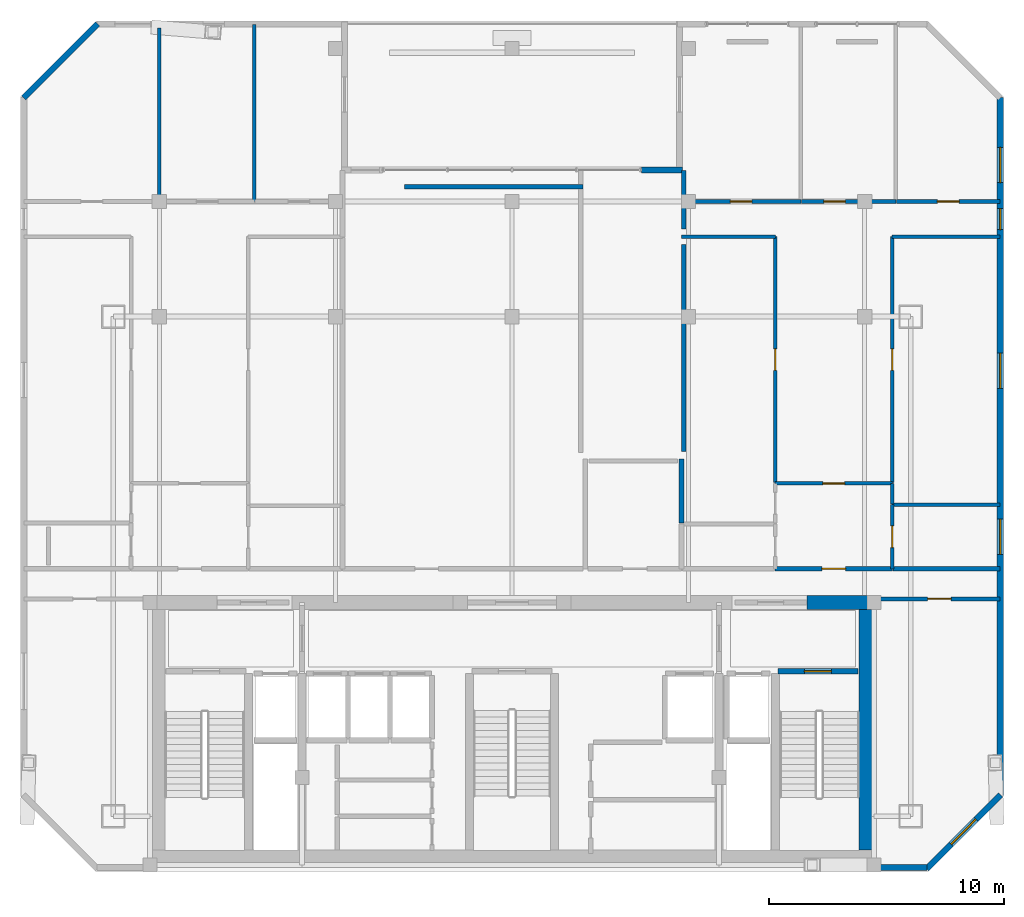
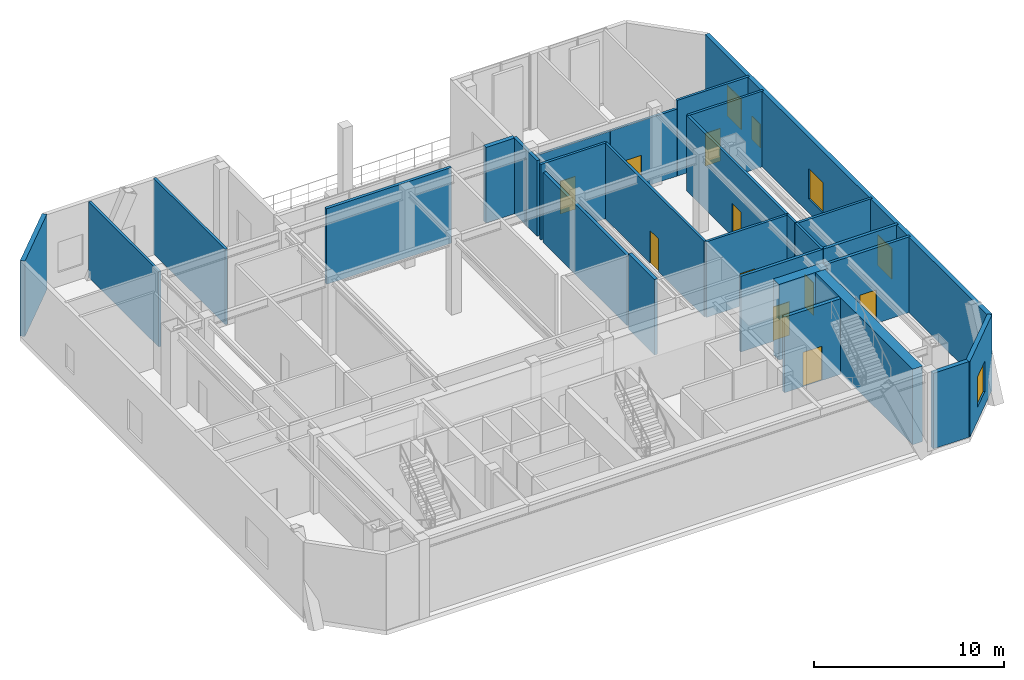
# One storey, part 10 of 12: 28 walls, 10 doors, 5 windows, 15 openings.
"""IFC4 building model written with IfcOpenShell, lengths in metres."""

import ifcopenshell
import ifcopenshell.guid

model = None  # the IFC model being written
_history = None  # IfcOwnerHistory: only IFC2X3 demands one
_inside = {}  # id of a spatial element -> (the spatial element, [elements in it])
_under = {}  # id of a project, library or spatial element -> (it, [spatial elements below it])
_declared = {}  # id of a project -> (the project, [libraries it declares])
_typed = {}  # id of a type object -> (the type object, [elements of that type])
_made_of = {}  # id of a material, layer set ... -> (it, [elements and type objects made of it])


def new_model(schema):
    """Start an empty IFC model of exactly this schema.

    Asked for "IFC4X3", IfcOpenShell would pick the latest addendum, in which some entities
    have other attributes; the version numbers below select the first issue.
    IFC2X3 requires an IfcOwnerHistory on every rooted entity: one is made here for all.
    """
    global model, _history
    if schema == "IFC4X3":
        model = ifcopenshell.file(schema_version=(4, 3, 0, 0))
    else:
        model = ifcopenshell.file(schema=schema)
    _inside.clear()
    _under.clear()
    _declared.clear()
    _typed.clear()
    _made_of.clear()
    _history = None
    if model.schema == "IFC2X3":
        org = make("IfcOrganization", Name="unknown")
        user = make(
            "IfcPersonAndOrganization",
            ThePerson=make("IfcPerson", FamilyName="unknown"),
            TheOrganization=org,
        )
        app = make(
            "IfcApplication",
            ApplicationDeveloper=org,
            Version="unknown",
            ApplicationFullName="unknown",
            ApplicationIdentifier="unknown",
        )
        _history = make(
            "IfcOwnerHistory",
            OwningUser=user,
            OwningApplication=app,
            ChangeAction="ADDED",
            CreationDate=0,
        )
    return model


def make(cls, **values):
    """One entity of the class cls with the attributes given. An attribute that is None is left unset."""
    return model.create_entity(
        cls, **{name: value for name, value in values.items() if value is not None}
    )


def rooted(cls, **values):
    """An entity with a GlobalId (a new one), such as an element, a storey or a relation."""
    return make(cls, GlobalId=ifcopenshell.guid.new(), OwnerHistory=_history, **values)


def si_unit(unit_type, name, prefix=None):
    """IfcSIUnit, for example si_unit("LENGTHUNIT", "METRE", prefix="MILLI")."""
    return make("IfcSIUnit", UnitType=unit_type, Prefix=prefix, Name=name)


def assignment(units):
    """IfcUnitAssignment: the units of a project."""
    return None if units is None else make("IfcUnitAssignment", Units=units)


def point(xyz):
    """IfcCartesianPoint."""
    return None if xyz is None else make("IfcCartesianPoint", Coordinates=xyz)


def direction(xyz):
    """IfcDirection."""
    return None if xyz is None else make("IfcDirection", DirectionRatios=xyz)


def frame(location, z_axis=None, x_axis=None):
    """IfcAxis2Placement3D, a coordinate frame: its origin and axes. An axis left out is left unset."""
    return make(
        "IfcAxis2Placement3D",
        Location=point(location),
        Axis=direction(z_axis),
        RefDirection=direction(x_axis),
    )


def frame_2d(location, x_axis=None):
    """IfcAxis2Placement2D, a coordinate frame in the plane: its origin and x axis."""
    return make(
        "IfcAxis2Placement2D", Location=point(location), RefDirection=direction(x_axis)
    )


def origin():
    """The frame at (0, 0, 0) with its axes left unset."""
    return frame((0.0, 0.0, 0.0))


def place(relative_to, where):
    """IfcLocalPlacement: puts the frame where relative to a parent placement (None: the world)."""
    return make(
        "IfcLocalPlacement", PlacementRelTo=relative_to, RelativePlacement=where
    )


def context(
    kind, dimensions, precision=None, world=None, true_north=None, identifier=None
):
    """IfcGeometricRepresentationContext, for example the 3D "Model" context."""
    return make(
        "IfcGeometricRepresentationContext",
        ContextIdentifier=identifier,
        ContextType=kind,
        CoordinateSpaceDimension=dimensions,
        Precision=precision,
        WorldCoordinateSystem=world,
        TrueNorth=true_north,
    )


def subcontext(parent, identifier, kind, view, scale=None):
    """IfcGeometricRepresentationSubContext, for example "Body" below "Model"."""
    return make(
        "IfcGeometricRepresentationSubContext",
        ContextIdentifier=identifier,
        ContextType=kind,
        ParentContext=parent,
        TargetScale=scale,
        TargetView=view,
    )


def project(units=None, contexts=None):
    """IfcProject with its units and contexts."""
    return rooted(
        "IfcProject",
        Name="project",
        RepresentationContexts=contexts,
        UnitsInContext=assignment(units),
    )


def spatial(cls, under=None, at=None, **own):
    """A site, building, storey or space (cls), placed at a placement, below another one or the project."""
    s = rooted(cls, ObjectPlacement=at, **own)
    if under is not None:
        _under.setdefault(under.id(), (under, []))[1].append(s)
    return s


def profile(cls, at=None, kind="AREA", **sizes):
    """A parametric profile (cls). Its sizes go by their IFC names, for example OverallWidth=200.0."""
    return make(cls, ProfileType=kind, Position=at, **sizes)


def rectangle(**sizes):
    """IfcRectangleProfileDef."""
    return profile("IfcRectangleProfileDef", **sizes)


def extrude(swept, where, along, depth):
    """IfcExtrudedAreaSolid: the profile swept, set in the frame where, extruded along a direction by depth."""
    return make(
        "IfcExtrudedAreaSolid",
        SweptArea=swept,
        Position=where,
        ExtrudedDirection=direction(along),
        Depth=depth,
    )


def shape(context_of_items, identifier, shape_type, items):
    """IfcShapeRepresentation: the items that make up one representation, for example the "Body"."""
    return make(
        "IfcShapeRepresentation",
        ContextOfItems=context_of_items,
        RepresentationIdentifier=identifier,
        RepresentationType=shape_type,
        Items=items,
    )


def material(Name=None, Category=None):
    """IfcMaterial."""
    return make("IfcMaterial", Name=Name, Category=Category)


def layer(
    of_material, thickness, ventilated=None, Name=None, Category=None, Priority=None
):
    """IfcMaterialLayer: one layer of a wall or slab, of a material (None: an air gap)."""
    return make(
        "IfcMaterialLayer",
        Material=of_material,
        LayerThickness=thickness,
        IsVentilated=ventilated,
        Name=Name,
        Category=Category,
        Priority=Priority,
    )


def layer_set(layers, Name=None):
    """IfcMaterialLayerSet."""
    return make("IfcMaterialLayerSet", MaterialLayers=layers, LayerSetName=Name)


def made_of(thing, what):
    """Note that an element or type object is made of a material, layer set ...; save() writes the relation."""
    if what is not None:
        _made_of.setdefault(what.id(), (what, []))[1].append(thing)
    return thing


def type_object(cls, material=None, **own):
    """A type object (cls), such as IfcWallType, which elements share."""
    return made_of(rooted(cls, **own), material)


def element(
    cls,
    number,
    at=None,
    inside=None,
    cuts=None,
    type_object=None,
    material=None,
    context=None,
    identifier="Body",
    shape_type=None,
    held_by="IfcProductDefinitionShape",
    body=None,
    shapes=None,
    **own,
):
    """One element of the class cls, such as IfcWall. Its Tag is "e" and its number.

    at: its placement. inside: the storey or other place that contains it. cuts: it is an
    opening in that element (IfcRelVoidsElement). A single representation is given by context,
    identifier, shape_type and body (its items); several are given by shapes. held_by: the class
    of the entity that holds the representations. save() writes the other relations.
    """
    e = rooted(cls, Tag="e%d" % number, ObjectPlacement=at, **own)
    if body is not None:
        shapes = [shape(context, identifier, shape_type, body)]
    if shapes is not None:
        e.Representation = make(held_by, Representations=shapes)
    if inside is not None:
        _inside.setdefault(inside.id(), (inside, []))[1].append(e)
    if cuts is not None:
        rooted(
            "IfcRelVoidsElement", RelatingBuildingElement=cuts, RelatedOpeningElement=e
        )
    if type_object is not None:
        _typed.setdefault(type_object.id(), (type_object, []))[1].append(e)
    return made_of(e, material)


def fill(opening, filler):
    """IfcRelFillsElement: the door or window that sits in an opening."""
    return rooted(
        "IfcRelFillsElement",
        RelatingOpeningElement=opening,
        RelatedBuildingElement=filler,
    )


def aggregate(whole, parts):
    """IfcRelAggregates: a whole, such as a stair, and the parts it consists of."""
    return rooted("IfcRelAggregates", RelatingObject=whole, RelatedObjects=parts)


def save(model, path):
    """Write the relations noted so far, then the file.

    IfcRelAggregates (storeys below a building ...), IfcRelContainedInSpatialStructure (elements
    in a storey), IfcRelDefinesByType, IfcRelAssociatesMaterial and IfcRelDeclares: one each for
    every whole, place, type object, material and project.
    """
    for whole, parts in _under.values():
        aggregate(whole, parts)
    for where, things in _inside.values():
        rooted(
            "IfcRelContainedInSpatialStructure",
            RelatedElements=things,
            RelatingStructure=where,
        )
    for kind, things in _typed.values():
        rooted("IfcRelDefinesByType", RelatedObjects=things, RelatingType=kind)
    for what, things in _made_of.values():
        rooted("IfcRelAssociatesMaterial", RelatedObjects=things, RelatingMaterial=what)
    for by, libraries in _declared.values():
        rooted("IfcRelDeclares", RelatingContext=by, RelatedDefinitions=libraries)
    model.write(path)


model = new_model("IFC4")

# Units and contexts
model_context = context("Model", 3, precision=1e-05, world=origin(), true_north=direction((0.0, 1.0)))
body_context = subcontext(model_context, "Body", "Model", "MODEL_VIEW")
ifc_project = project(units=[si_unit("LENGTHUNIT", "METRE"), si_unit("AREAUNIT", "SQUARE_METRE"), si_unit("VOLUMEUNIT", "CUBIC_METRE"), si_unit("PLANEANGLEUNIT", "RADIAN"), si_unit("MASSUNIT", "GRAM", prefix="KILO")], contexts=[model_context])

# Site, building, storey
site_placement = place(None, origin())
site = spatial("IfcSite", under=ifc_project, at=site_placement, CompositionType="ELEMENT")
building_placement = place(site_placement, origin())
building = spatial("IfcBuilding", under=site, at=building_placement, Name="Ventersveld Concourse Tower", CompositionType="ELEMENT")
storey_placement = place(building_placement, frame((0.0, 0.0, 251.699951171875)))
storey = spatial("IfcBuildingStorey", under=building, at=storey_placement, Name="L62", CompositionType="ELEMENT", Elevation=251.699951171875)

# Walls
ifc_material_1 = material(Name="Concrete C50/60", Category="concrete")
ifc_layer_1 = layer(ifc_material_1, 0.60009765625)
ifc_layer_set_1 = layer_set([ifc_layer_1], Name="Concrete C50/60")
wall_type_1 = type_object("IfcWallType", Name="WL-CORE-600", PredefinedType="SHEAR", material=ifc_layer_set_1)
wall_1_placement = place(storey_placement, frame((43.800048828125, 0.919921875, 0.0), z_axis=(0.0, 0.0, 1.0), x_axis=(0.0, 1.0, 0.0)))
element("IfcWall", 1, at=wall_1_placement, inside=storey, type_object=wall_type_1, Name="L62 Rear Core East Shear Wall", PredefinedType="SHEAR", context=body_context, shape_type="SweptSolid", body=[
    extrude(rectangle(XDim=10.530029296875, YDim=0.60009765625, at=frame_2d((5.26513671875, 0.0))), origin(), (0.0, 0.0, 1.0), 4.85009765625),
])
wall_2_placement = place(storey_placement, frame((41.300048828125, 11.449951171875, 0.0), z_axis=(0.0, 0.0, 1.0), x_axis=(1.0, 0.0, 0.0)))
element("IfcWall", 2, at=wall_2_placement, inside=storey, type_object=wall_type_1, Name="L62 Rear Core North Shear Wall NE", PredefinedType="SHEAR", context=body_context, shape_type="SweptSolid", body=[
    extrude(rectangle(XDim=2.949951171875, YDim=0.60009765625, at=frame_2d((1.47509765625, 0.0))), origin(), (0.0, 0.0, 1.0), 4.85009765625),
])

# Wall, opening, door
ifc_material_2 = material(Name="Fire-rated autoclaved aerated masonry blockwork", Category="masonry")
ifc_layer_2 = layer(ifc_material_2, 0.179931640625)
ifc_layer_set_2 = layer_set([ifc_layer_2], Name="Fire-rated autoclaved aerated masonry blockwork")
wall_type_2 = type_object("IfcWallType", Name="WL-CORR-180", PredefinedType="PARTITIONING", material=ifc_layer_set_2)
wall_3_placement = place(storey_placement, frame((44.35498046875, 11.60009765625, 0.0), z_axis=(0.0, 0.0, 1.0), x_axis=(1.0, 0.0, 0.0)))
wall_3 = element("IfcWall", 3, at=wall_3_placement, inside=storey, type_object=wall_type_2, Name="L62 Interior Partition SP-L62-SE-OFF-SP-L62-COR", PredefinedType="PARTITIONING", context=body_context, shape_type="SweptSolid", body=[
    extrude(rectangle(XDim=5.14013671875, YDim=0.179931640625, at=frame_2d((2.570068359375, 0.0))), origin(), (0.0, 0.0, 1.0), 4.85009765625),
])
opening_1_placement = place(wall_3_placement, frame((2.070068359375, 0.0, 0.0)))
opening_1 = element("IfcOpeningElement", 4, at=opening_1_placement, cuts=wall_3, Name="Opening FD3", PredefinedType="OPENING", context=body_context, shape_type="SweptSolid", body=[
    extrude(rectangle(XDim=1.0, YDim=2.14990234375, at=frame_2d((0.5, 1.074951171875))), frame((0.0, 0.10009765625, 0.0), z_axis=(0.0, -1.0, 0.0), x_axis=(1.0, 0.0, 0.0)), (0.0, 0.0, 1.0), 0.199951171875),
])
ifc_material_3 = material(Name="Solid-core hardwood veneer timber", Category="wood")
door_type_1 = type_object("IfcDoorType", Name="DR-FLAT-100", OperationType="NOTDEFINED", PredefinedType="DOOR", material=ifc_material_3)
door_1_placement = place(opening_1_placement, origin())
door_1 = element("IfcDoor", 5, at=door_1_placement, inside=storey, type_object=door_type_1, Name="L62 Interior Door SP-L62-SE-OFF to SP-L62-COR (D-L62-2947)", OperationType="SINGLE_SWING_LEFT", OverallHeight=2.14990234375, OverallWidth=1.0, PredefinedType="DOOR", context=body_context, shape_type="SweptSolid", body=[
    extrude(rectangle(XDim=1.0, YDim=2.14990234375, at=frame_2d((0.5, 1.074951171875))), frame((0.0, 0.02490234375, 0.0), z_axis=(0.0, -1.0, 0.0), x_axis=(1.0, 0.0, 0.0)), (0.0, 0.0, 1.0), 0.050048828125),
])
fill(opening_1, door_1)

wall_4_placement = place(storey_placement, frame((39.938720703125, 12.8798828125, 0.0), z_axis=(0.0, 0.0, 1.0), x_axis=(1.0, 0.0, 0.0)))
wall_4 = element("IfcWall", 6, at=wall_4_placement, inside=storey, type_object=wall_type_2, Name="L62 Interior Partition SP-L62-COR-SP-L62-62CE-FOY", PredefinedType="PARTITIONING", context=body_context, shape_type="SweptSolid", body=[
    extrude(rectangle(XDim=4.989990234375, YDim=0.179931640625, at=frame_2d((2.4951171875, 0.0))), origin(), (0.0, 0.0, 1.0), 4.85009765625),
])
opening_2_placement = place(wall_4_placement, frame((1.9951171875, 0.0, 0.0)))
opening_2 = element("IfcOpeningElement", 7, at=opening_2_placement, cuts=wall_4, Name="Opening FD3", PredefinedType="OPENING", context=body_context, shape_type="SweptSolid", body=[
    extrude(rectangle(XDim=1.0, YDim=2.14990234375, at=frame_2d((0.5, 1.074951171875))), frame((0.0, 0.10009765625, 0.0), z_axis=(0.0, -1.0, 0.0), x_axis=(1.0, 0.0, 0.0)), (0.0, 0.0, 1.0), 0.199951171875),
])
door_2_placement = place(opening_2_placement, origin())
door_2 = element("IfcDoor", 8, at=door_2_placement, inside=storey, type_object=door_type_1, Name="L62 Interior Door SP-L62-COR to SP-L62-62CE-FOY (FD-L62-2951)", OperationType="SINGLE_SWING_LEFT", OverallHeight=2.14990234375, OverallWidth=1.0, PredefinedType="DOOR", context=body_context, shape_type="SweptSolid", body=[
    extrude(rectangle(XDim=1.0, YDim=2.14990234375, at=frame_2d((0.5, 1.074951171875))), frame((0.0, 0.02490234375, 0.0), z_axis=(0.0, -1.0, 0.0), x_axis=(1.0, 0.0, 0.0)), (0.0, 0.0, 1.0), 0.050048828125),
])
fill(opening_2, door_2)

# Walls
wall_5_placement = place(storey_placement, frame((44.958740234375, 12.8798828125, 0.0), z_axis=(0.0, 0.0, 1.0), x_axis=(1.0, 0.0, 0.0)))
element("IfcWall", 9, at=wall_5_placement, inside=storey, type_object=wall_type_2, Name="L62 Interior Partition SP-L62-COR-SP-L62-62CE-KIT", PredefinedType="PARTITIONING", context=body_context, shape_type="SweptSolid", body=[
    extrude(rectangle(XDim=4.536376953125, YDim=0.179931640625, at=frame_2d((2.26806640625, 0.0))), origin(), (0.0, 0.0, 1.0), 4.85009765625),
])
wall_6_placement = place(storey_placement, frame((24.182861328125, 29.1318359375, 0.0), z_axis=(0.0, 0.0, 1.0), x_axis=(1.0, 0.0, 0.0)))
element("IfcWall", 10, at=wall_6_placement, inside=storey, type_object=wall_type_2, Name="L62 Room Enclosure Wall SP-L62-SLOB", PredefinedType="PARTITIONING", context=body_context, shape_type="SweptSolid", body=[
    extrude(rectangle(XDim=7.58203125, YDim=0.179931640625, at=frame_2d((3.791015625, 0.0))), origin(), (0.0, 0.0, 1.0), 4.85009765625),
])
wall_7_placement = place(storey_placement, frame((36.050048828125, 27.324951171875, 0.0), z_axis=(0.0, 0.0, 1.0), x_axis=(0.0, 1.0, 0.0)))
element("IfcWall", 11, at=wall_7_placement, inside=storey, type_object=wall_type_2, Name="L62 Room Enclosure Wall SP-L62-62CE-LIV", PredefinedType="PARTITIONING", context=body_context, shape_type="SweptSolid", body=[
    extrude(rectangle(XDim=2.50390625, YDim=0.179931640625, at=frame_2d((1.251953125, 0.0))), origin(), (0.0, 0.0, 1.0), 4.85009765625),
])
wall_8_placement = place(storey_placement, frame((36.050048828125, 17.869873046875, 0.0), z_axis=(0.0, 0.0, 1.0), x_axis=(0.0, 1.0, 0.0)))
element("IfcWall", 12, at=wall_8_placement, inside=storey, type_object=wall_type_2, Name="L62 Room Enclosure Wall SP-L62-62CE-OFFL0", PredefinedType="PARTITIONING", context=body_context, shape_type="SweptSolid", body=[
    extrude(rectangle(XDim=8.80517578125, YDim=0.179931640625, at=frame_2d((4.402587890625, 0.0))), origin(), (0.0, 0.0, 1.0), 4.4951171875),
])
ifc_layer_3 = layer(ifc_material_2, 0.199951171875)
ifc_layer_set_3 = layer_set([ifc_layer_3], Name="Fire-rated autoclaved aerated masonry blockwork")
wall_type_3 = type_object("IfcWallType", Name="WL-DEMISE-200", PredefinedType="PARTITIONING", material=ifc_layer_set_3)
wall_9_placement = place(storey_placement, frame((35.9599609375, 14.8203125, 0.0), z_axis=(0.0, 0.0, 1.0), x_axis=(0.0, 1.0, 0.0)))
element("IfcWall", 13, at=wall_9_placement, inside=storey, type_object=wall_type_3, Name="L62 Interior Partition SP-L62-SAWC-SP-L62-62CE-OFFL0", PredefinedType="PARTITIONING", context=body_context, shape_type="SweptSolid", body=[
    extrude(rectangle(XDim=2.734619140625, YDim=0.199951171875, at=frame_2d((1.3671875, 0.0))), origin(), (0.0, 0.0, 1.0), 4.85009765625),
])

# Wall, opening, door
ifc_layer_4 = layer(ifc_material_2, 0.219970703125)
ifc_layer_set_4 = layer_set([ifc_layer_4], Name="Fire-rated autoclaved aerated masonry blockwork")
wall_type_4 = type_object("IfcWallType", Name="WL-HOIST-220", PredefinedType="SOLIDWALL", material=ifc_layer_set_4)
wall_10_placement = place(storey_placement, frame((40.06005859375, 8.52001953125, 0.0), z_axis=(0.0, 0.0, 1.0), x_axis=(1.0, 0.0, 0.0)))
wall_10 = element("IfcWall", 14, at=wall_10_placement, inside=storey, type_object=wall_type_4, Name="L62 Escape Stair ST02 Fire Wall", PredefinedType="SOLIDWALL", context=body_context, shape_type="SweptSolid", body=[
    extrude(rectangle(XDim=3.39990234375, YDim=0.219970703125, at=frame_2d((1.699951171875, 0.0))), origin(), (0.0, 0.0, 1.0), 4.85009765625),
])
opening_3_placement = place(wall_10_placement, frame((1.125, 0.0, 0.0)))
opening_3 = element("IfcOpeningElement", 15, at=opening_3_placement, cuts=wall_10, Name="Opening FD1", PredefinedType="OPENING", context=body_context, shape_type="SweptSolid", body=[
    extrude(rectangle(XDim=1.14990234375, YDim=2.199951171875, at=frame_2d((0.574951171875, 1.10009765625))), frame((0.0, 0.1201171875, 0.0), z_axis=(0.0, -1.0, 0.0), x_axis=(1.0, 0.0, 0.0)), (0.0, 0.0, 1.0), 0.239990234375),
])
ifc_material_4 = material(Name="Galvanised painted steel", Category="steel")
door_type_2 = type_object("IfcDoorType", Name="DR-STAIR-115", OperationType="NOTDEFINED", PredefinedType="DOOR", material=ifc_material_4)
door_3_placement = place(opening_3_placement, origin())
door_3 = element("IfcDoor", 16, at=door_3_placement, inside=storey, type_object=door_type_2, Name="L62 Escape Stair Door ST02 (SD-L62-2934)", OperationType="SINGLE_SWING_RIGHT", OverallHeight=2.199951171875, OverallWidth=1.14990234375, PredefinedType="DOOR", context=body_context, shape_type="SweptSolid", body=[
    extrude(rectangle(XDim=1.14990234375, YDim=2.199951171875, at=frame_2d((0.574951171875, 1.10009765625))), frame((0.0, 0.02490234375, 0.0), z_axis=(0.0, -1.0, 0.0), x_axis=(1.0, 0.0, 0.0)), (0.0, 0.0, 1.0), 0.050048828125),
])
fill(opening_3, door_3)

# Walls
ifc_material_5 = material(Name="Autoclaved aerated masonry blockwork", Category="masonry")
ifc_layer_5 = layer(ifc_material_5, 0.14990234375)
ifc_layer_set_5 = layer_set([ifc_layer_5], Name="Autoclaved aerated masonry blockwork")
wall_type_5 = type_object("IfcWallType", Name="WL-INT-150", PredefinedType="PARTITIONING", material=ifc_layer_set_5)
wall_11_placement = place(storey_placement, frame((13.75, 28.4951171875, 0.0), z_axis=(0.0, 0.0, 1.0), x_axis=(0.0, 1.0, 0.0)))
element("IfcWall", 17, at=wall_11_placement, inside=storey, type_object=wall_type_5, Name="L62 Interior Partition SP-L62-62CW-BR1-SP-L62-62CW-BR2", PredefinedType="PARTITIONING", context=body_context, shape_type="SweptSolid", body=[
    extrude(rectangle(XDim=7.37841796875, YDim=0.14990234375, at=frame_2d((3.689208984375, 0.0))), origin(), (0.0, 0.0, 1.0), 4.85009765625),
])
wall_12_placement = place(storey_placement, frame((17.790771484375, 28.4951171875, 0.0), z_axis=(0.0, 0.0, 1.0), x_axis=(0.0, 1.0, 0.0)))
element("IfcWall", 18, at=wall_12_placement, inside=storey, type_object=wall_type_5, Name="L62 Interior Partition SP-L62-62CW-BR2-SP-L62-62CW-BR3", PredefinedType="PARTITIONING", context=body_context, shape_type="SweptSolid", body=[
    extrude(rectangle(XDim=7.52734375, YDim=0.14990234375, at=frame_2d((3.763671875, 0.0))), origin(), (0.0, 0.0, 1.0), 4.85009765625),
])

# Wall, opening, door
wall_13_placement = place(storey_placement, frame((39.938720703125, 16.509765625, 0.0), z_axis=(0.0, 0.0, 1.0), x_axis=(1.0, 0.0, 0.0)))
wall_13 = element("IfcWall", 19, at=wall_13_placement, inside=storey, type_object=wall_type_5, Name="L62 Interior Partition SP-L62-62CE-FOY-SP-L62-62CE-LIV", PredefinedType="PARTITIONING", context=body_context, shape_type="SweptSolid", body=[
    extrude(rectangle(XDim=4.989990234375, YDim=0.14990234375, at=frame_2d((2.4951171875, 0.0))), origin(), (0.0, 0.0, 1.0), 4.85009765625),
])
opening_4_placement = place(wall_13_placement, frame((2.034912109375, 0.0, 0.0)))
opening_4 = element("IfcOpeningElement", 20, at=opening_4_placement, cuts=wall_13, Name="Opening ID1", PredefinedType="OPENING", context=body_context, shape_type="SweptSolid", body=[
    extrude(rectangle(XDim=0.919921875, YDim=2.10009765625, at=frame_2d((0.4599609375, 1.050048828125))), frame((0.0, 0.0849609375, 0.0), z_axis=(0.0, -1.0, 0.0), x_axis=(1.0, 0.0, 0.0)), (0.0, 0.0, 1.0), 0.169921875),
])
door_type_3 = type_object("IfcDoorType", Name="DR-ROOM-092", OperationType="NOTDEFINED", PredefinedType="DOOR", material=ifc_material_3)
door_4_placement = place(opening_4_placement, origin())
door_4 = element("IfcDoor", 21, at=door_4_placement, inside=storey, type_object=door_type_3, Name="L62 Interior Door SP-L62-62CE-FOY to SP-L62-62CE-LIV (D-L62-2961)", OperationType="SINGLE_SWING_LEFT", OverallHeight=2.10009765625, OverallWidth=0.919921875, PredefinedType="DOOR", context=body_context, shape_type="SweptSolid", body=[
    extrude(rectangle(XDim=0.919921875, YDim=2.10009765625, at=frame_2d((0.4599609375, 1.050048828125))), frame((0.0, 0.02490234375, 0.0), z_axis=(0.0, -1.0, 0.0), x_axis=(1.0, 0.0, 0.0)), (0.0, 0.0, 1.0), 0.050048828125),
])
fill(opening_4, door_4)

wall_14_placement = place(storey_placement, frame((44.923583984375, 12.864990234375, 0.0), z_axis=(0.0, 0.0, 1.0), x_axis=(0.0, 1.0, 0.0)))
wall_14 = element("IfcWall", 22, at=wall_14_placement, inside=storey, type_object=wall_type_5, Name="L62 Interior Partition SP-L62-62CE-FOY-SP-L62-62CE-KIT", PredefinedType="PARTITIONING", context=body_context, shape_type="SweptSolid", body=[
    extrude(rectangle(XDim=2.74951171875, YDim=0.14990234375, at=frame_2d((1.374755859375, 0.0))), origin(), (0.0, 0.0, 1.0), 4.85009765625),
])
opening_5_placement = place(wall_14_placement, frame((0.914794921875, 0.0, 0.0)))
opening_5 = element("IfcOpeningElement", 23, at=opening_5_placement, cuts=wall_14, Name="Opening ID1", PredefinedType="OPENING", context=body_context, shape_type="SweptSolid", body=[
    extrude(rectangle(XDim=0.919921875, YDim=2.10009765625, at=frame_2d((0.4599609375, 1.050048828125))), frame((0.0, 0.0849609375, 0.0), z_axis=(0.0, -1.0, 0.0), x_axis=(1.0, 0.0, 0.0)), (0.0, 0.0, 1.0), 0.169921875),
])
door_5_placement = place(opening_5_placement, origin())
door_5 = element("IfcDoor", 24, at=door_5_placement, inside=storey, type_object=door_type_3, Name="L62 Interior Door SP-L62-62CE-FOY to SP-L62-62CE-KIT (D-L62-2964)", OperationType="SINGLE_SWING_RIGHT", OverallHeight=2.10009765625, OverallWidth=0.919921875, PredefinedType="DOOR", context=body_context, shape_type="SweptSolid", body=[
    extrude(rectangle(XDim=0.919921875, YDim=2.10009765625, at=frame_2d((0.4599609375, 1.050048828125))), frame((0.0, 0.02490234375, 0.0), z_axis=(0.0, -1.0, 0.0), x_axis=(1.0, 0.0, 0.0)), (0.0, 0.0, 1.0), 0.050048828125),
])
fill(opening_5, door_5)

# Wall
wall_15_placement = place(storey_placement, frame((44.923583984375, 15.64453125, 0.0), z_axis=(0.0, 0.0, 1.0), x_axis=(0.0, 1.0, 0.0)))
element("IfcWall", 25, at=wall_15_placement, inside=storey, type_object=wall_type_5, Name="L62 Interior Partition SP-L62-62CE-FOY-SP-L62-62CE-OFFR1", PredefinedType="PARTITIONING", context=body_context, shape_type="SweptSolid", body=[
    extrude(rectangle(XDim=0.870361328125, YDim=0.14990234375, at=frame_2d((0.43505859375, 0.0))), origin(), (0.0, 0.0, 1.0), 4.85009765625),
])

# Wall, opening, door
wall_16_placement = place(storey_placement, frame((39.943603515625, 16.544921875, 0.0), z_axis=(0.0, 0.0, 1.0), x_axis=(0.0, 1.0, 0.0)))
wall_16 = element("IfcWall", 26, at=wall_16_placement, inside=storey, type_object=wall_type_5, Name="L62 Interior Partition SP-L62-62CE-LIV-SP-L62-62CE-OFFL0", PredefinedType="PARTITIONING", context=body_context, shape_type="SweptSolid", body=[
    extrude(rectangle(XDim=10.4599609375, YDim=0.14990234375, at=frame_2d((5.22998046875, 0.0))), origin(), (0.0, 0.0, 1.0), 4.85009765625),
])
opening_6_placement = place(wall_16_placement, frame((4.77001953125, 0.0, 0.0)))
opening_6 = element("IfcOpeningElement", 27, at=opening_6_placement, cuts=wall_16, Name="Opening ID1", PredefinedType="OPENING", context=body_context, shape_type="SweptSolid", body=[
    extrude(rectangle(XDim=0.919921875, YDim=2.10009765625, at=frame_2d((0.4599609375, 1.050048828125))), frame((0.0, 0.0849609375, 0.0), z_axis=(0.0, -1.0, 0.0), x_axis=(1.0, 0.0, 0.0)), (0.0, 0.0, 1.0), 0.169921875),
])
door_6_placement = place(opening_6_placement, origin())
door_6 = element("IfcDoor", 28, at=door_6_placement, inside=storey, type_object=door_type_3, Name="L62 Interior Door SP-L62-62CE-LIV to SP-L62-62CE-OFFL0 (D-L62-2965)", OperationType="SINGLE_SWING_LEFT", OverallHeight=2.10009765625, OverallWidth=0.919921875, PredefinedType="DOOR", context=body_context, shape_type="SweptSolid", body=[
    extrude(rectangle(XDim=0.919921875, YDim=2.10009765625, at=frame_2d((0.4599609375, 1.050048828125))), frame((0.0, 0.02490234375, 0.0), z_axis=(0.0, -1.0, 0.0), x_axis=(1.0, 0.0, 0.0)), (0.0, 0.0, 1.0), 0.050048828125),
])
fill(opening_6, door_6)

# Wall
wall_17_placement = place(storey_placement, frame((35.955078125, 27.0, 0.0), z_axis=(0.0, 0.0, 1.0), x_axis=(1.0, 0.0, 0.0)))
element("IfcWall", 29, at=wall_17_placement, inside=storey, type_object=wall_type_5, Name="L62 Interior Partition SP-L62-62CE-LIV-SP-L62-62CE-OFFL0", PredefinedType="PARTITIONING", context=body_context, shape_type="SweptSolid", body=[
    extrude(rectangle(XDim=3.99365234375, YDim=0.14990234375, at=frame_2d((1.996826171875, 0.0))), origin(), (0.0, 0.0, 1.0), 4.85009765625),
])

# Wall, opening, door
wall_18_placement = place(storey_placement, frame((44.923583984375, 16.544921875, 0.0), z_axis=(0.0, 0.0, 1.0), x_axis=(0.0, 1.0, 0.0)))
wall_18 = element("IfcWall", 30, at=wall_18_placement, inside=storey, type_object=wall_type_5, Name="L62 Interior Partition SP-L62-62CE-LIV-SP-L62-62CE-OFFR1", PredefinedType="PARTITIONING", context=body_context, shape_type="SweptSolid", body=[
    extrude(rectangle(XDim=10.4599609375, YDim=0.14990234375, at=frame_2d((5.22998046875, 0.0))), origin(), (0.0, 0.0, 1.0), 4.85009765625),
])
opening_7_placement = place(wall_18_placement, frame((4.77001953125, 0.0, 0.0)))
opening_7 = element("IfcOpeningElement", 31, at=opening_7_placement, cuts=wall_18, Name="Opening ID1", PredefinedType="OPENING", context=body_context, shape_type="SweptSolid", body=[
    extrude(rectangle(XDim=0.919921875, YDim=2.10009765625, at=frame_2d((0.4599609375, 1.050048828125))), frame((0.0, 0.0849609375, 0.0), z_axis=(0.0, -1.0, 0.0), x_axis=(1.0, 0.0, 0.0)), (0.0, 0.0, 1.0), 0.169921875),
])
door_7_placement = place(opening_7_placement, origin())
door_7 = element("IfcDoor", 32, at=door_7_placement, inside=storey, type_object=door_type_3, Name="L62 Interior Door SP-L62-62CE-LIV to SP-L62-62CE-OFFR1 (D-L62-2966)", OperationType="SINGLE_SWING_RIGHT", OverallHeight=2.10009765625, OverallWidth=0.919921875, PredefinedType="DOOR", context=body_context, shape_type="SweptSolid", body=[
    extrude(rectangle(XDim=0.919921875, YDim=2.10009765625, at=frame_2d((0.4599609375, 1.050048828125))), frame((0.0, 0.02490234375, 0.0), z_axis=(0.0, -1.0, 0.0), x_axis=(1.0, 0.0, 0.0)), (0.0, 0.0, 1.0), 0.050048828125),
])
fill(opening_7, door_7)

# Wall
wall_19_placement = place(storey_placement, frame((44.918701171875, 27.0, 0.0), z_axis=(0.0, 0.0, 1.0), x_axis=(1.0, 0.0, 0.0)))
element("IfcWall", 33, at=wall_19_placement, inside=storey, type_object=wall_type_5, Name="L62 Interior Partition SP-L62-62CE-LIV-SP-L62-62CE-OFFR1", PredefinedType="PARTITIONING", context=body_context, shape_type="SweptSolid", body=[
    extrude(rectangle(XDim=4.576416015625, YDim=0.14990234375, at=frame_2d((2.2880859375, 0.0))), origin(), (0.0, 0.0, 1.0), 4.85009765625),
])

# Wall, opening, door
wall_20_placement = place(storey_placement, frame((35.955078125, 28.5, 0.0), z_axis=(0.0, 0.0, 1.0), x_axis=(1.0, 0.0, 0.0)))
wall_20 = element("IfcWall", 34, at=wall_20_placement, inside=storey, type_object=wall_type_5, Name="L62 Interior Partition SP-L62-62CE-LIV-SP-L62-62CE-BR1", PredefinedType="PARTITIONING", context=body_context, shape_type="SweptSolid", body=[
    extrude(rectangle(XDim=5.080322265625, YDim=0.14990234375, at=frame_2d((2.5400390625, 0.0))), origin(), (0.0, 0.0, 1.0), 4.3056640625),
])
opening_8_placement = place(wall_20_placement, frame((2.080078125, 0.0, 0.0)))
opening_8 = element("IfcOpeningElement", 35, at=opening_8_placement, cuts=wall_20, Name="Opening ID1", PredefinedType="OPENING", context=body_context, shape_type="SweptSolid", body=[
    extrude(rectangle(XDim=0.919921875, YDim=2.10009765625, at=frame_2d((0.4599609375, 1.050048828125))), frame((0.0, 0.0849609375, 0.0), z_axis=(0.0, -1.0, 0.0), x_axis=(1.0, 0.0, 0.0)), (0.0, 0.0, 1.0), 0.169921875),
])
door_8_placement = place(opening_8_placement, origin())
door_8 = element("IfcDoor", 36, at=door_8_placement, inside=storey, type_object=door_type_3, Name="L62 Interior Door SP-L62-62CE-LIV to SP-L62-62CE-BR1 (D-L62-2967)", OperationType="SINGLE_SWING_LEFT", OverallHeight=2.10009765625, OverallWidth=0.919921875, PredefinedType="DOOR", context=body_context, shape_type="SweptSolid", body=[
    extrude(rectangle(XDim=0.919921875, YDim=2.10009765625, at=frame_2d((0.4599609375, 1.050048828125))), frame((0.0, 0.02490234375, 0.0), z_axis=(0.0, -1.0, 0.0), x_axis=(1.0, 0.0, 0.0)), (0.0, 0.0, 1.0), 0.050048828125),
])
fill(opening_8, door_8)

wall_21_placement = place(storey_placement, frame((41.065185546875, 28.5, 0.0), z_axis=(0.0, 0.0, 1.0), x_axis=(1.0, 0.0, 0.0)))
wall_21 = element("IfcWall", 37, at=wall_21_placement, inside=storey, type_object=wall_type_5, Name="L62 Interior Partition SP-L62-62CE-LIV-SP-L62-62CE-BR2", PredefinedType="PARTITIONING", context=body_context, shape_type="SweptSolid", body=[
    extrude(rectangle(XDim=4.010986328125, YDim=0.14990234375, at=frame_2d((2.00537109375, 0.0))), origin(), (0.0, 0.0, 1.0), 4.3056640625),
])
opening_9_placement = place(wall_21_placement, frame((0.94384765625, 0.0, 0.0)))
opening_9 = element("IfcOpeningElement", 38, at=opening_9_placement, cuts=wall_21, Name="Opening ID1", PredefinedType="OPENING", context=body_context, shape_type="SweptSolid", body=[
    extrude(rectangle(XDim=0.919921875, YDim=2.10009765625, at=frame_2d((0.4599609375, 1.050048828125))), frame((0.0, 0.0849609375, 0.0), z_axis=(0.0, -1.0, 0.0), x_axis=(1.0, 0.0, 0.0)), (0.0, 0.0, 1.0), 0.169921875),
])
door_9_placement = place(opening_9_placement, origin())
door_9 = element("IfcDoor", 39, at=door_9_placement, inside=storey, type_object=door_type_3, Name="L62 Interior Door SP-L62-62CE-LIV to SP-L62-62CE-BR2 (D-L62-2968)", OperationType="SINGLE_SWING_RIGHT", OverallHeight=2.10009765625, OverallWidth=0.919921875, PredefinedType="DOOR", context=body_context, shape_type="SweptSolid", body=[
    extrude(rectangle(XDim=0.919921875, YDim=2.10009765625, at=frame_2d((0.4599609375, 1.050048828125))), frame((0.0, 0.02490234375, 0.0), z_axis=(0.0, -1.0, 0.0), x_axis=(1.0, 0.0, 0.0)), (0.0, 0.0, 1.0), 0.050048828125),
])
fill(opening_9, door_9)

wall_22_placement = place(storey_placement, frame((45.106201171875, 28.5, 0.0), z_axis=(0.0, 0.0, 1.0), x_axis=(1.0, 0.0, 0.0)))
wall_22 = element("IfcWall", 40, at=wall_22_placement, inside=storey, type_object=wall_type_5, Name="L62 Interior Partition SP-L62-62CE-LIV-SP-L62-62CE-BR3", PredefinedType="PARTITIONING", context=body_context, shape_type="SweptSolid", body=[
    extrude(rectangle(XDim=4.388916015625, YDim=0.14990234375, at=frame_2d((2.1943359375, 0.0))), origin(), (0.0, 0.0, 1.0), 4.85009765625),
])
opening_10_placement = place(wall_22_placement, frame((1.734375, 0.0, 0.0)))
opening_10 = element("IfcOpeningElement", 41, at=opening_10_placement, cuts=wall_22, Name="Opening ID1", PredefinedType="OPENING", context=body_context, shape_type="SweptSolid", body=[
    extrude(rectangle(XDim=0.919921875, YDim=2.10009765625, at=frame_2d((0.4599609375, 1.050048828125))), frame((0.0, 0.0849609375, 0.0), z_axis=(0.0, -1.0, 0.0), x_axis=(1.0, 0.0, 0.0)), (0.0, 0.0, 1.0), 0.169921875),
])
door_10_placement = place(opening_10_placement, origin())
door_10 = element("IfcDoor", 42, at=door_10_placement, inside=storey, type_object=door_type_3, Name="L62 Interior Door SP-L62-62CE-LIV to SP-L62-62CE-BR3 (D-L62-2969)", OperationType="SINGLE_SWING_LEFT", OverallHeight=2.10009765625, OverallWidth=0.919921875, PredefinedType="DOOR", context=body_context, shape_type="SweptSolid", body=[
    extrude(rectangle(XDim=0.919921875, YDim=2.10009765625, at=frame_2d((0.4599609375, 1.050048828125))), frame((0.0, 0.02490234375, 0.0), z_axis=(0.0, -1.0, 0.0), x_axis=(1.0, 0.0, 0.0)), (0.0, 0.0, 1.0), 0.050048828125),
])
fill(opening_10, door_10)

# Walls
wall_23_placement = place(storey_placement, frame((44.918701171875, 15.609619140625, 0.0), z_axis=(0.0, 0.0, 1.0), x_axis=(1.0, 0.0, 0.0)))
element("IfcWall", 43, at=wall_23_placement, inside=storey, type_object=wall_type_5, Name="L62 Interior Partition SP-L62-62CE-KIT-SP-L62-62CE-OFFR1", PredefinedType="PARTITIONING", context=body_context, shape_type="SweptSolid", body=[
    extrude(rectangle(XDim=4.576416015625, YDim=0.14990234375, at=frame_2d((2.2880859375, 0.0))), origin(), (0.0, 0.0, 1.0), 4.85009765625),
])
ifc_material_6 = material(Name="Precast concrete C45/55", Category="concrete")
ifc_layer_6 = layer(ifc_material_6, 0.260009765625)
ifc_layer_set_6 = layer_set([ifc_layer_6], Name="Precast concrete C45/55")
wall_type_6 = type_object("IfcWallType", Name="WL-PREC-260", PredefinedType="SOLIDWALL", material=ifc_layer_set_6)
wall_24_placement = place(storey_placement, frame((44.25, 0.179931640625, 0.0), z_axis=(0.0, 0.0, 1.0), x_axis=(1.0, 0.0, 0.0)))
element("IfcWall", 44, at=wall_24_placement, inside=storey, type_object=wall_type_6, Name="L62 South-East Flank Precast Wall", PredefinedType="SOLIDWALL", context=body_context, shape_type="SweptSolid", body=[
    extrude(rectangle(XDim=2.154541015625, YDim=0.260009765625, at=frame_2d((1.0771484375, 0.0))), origin(), (0.0, 0.0, 1.0), 4.85009765625),
])

# Wall, opening, window
wall_25_placement = place(storey_placement, frame((46.380859375, 0.1201171875, 0.0), z_axis=(0.0, 0.0, 1.0), x_axis=(0.707106781187, 0.707106781187, 0.0)))
wall_25 = element("IfcWall", 45, at=wall_25_placement, inside=storey, type_object=wall_type_6, Name="L62 Highveld Precast Facade Wall E02", PredefinedType="SOLIDWALL", context=body_context, shape_type="SweptSolid", body=[
    extrude(rectangle(XDim=4.445556640625, YDim=0.260009765625, at=frame_2d((2.22265625, 0.0))), origin(), (0.0, 0.0, 1.0), 4.85009765625),
])
opening_11_placement = place(wall_25_placement, frame((1.47265625, 0.0, 0.89990234375)))
opening_11 = element("IfcOpeningElement", 46, at=opening_11_placement, cuts=wall_25, Name="Opening W1", PredefinedType="OPENING", context=body_context, shape_type="SweptSolid", body=[
    extrude(rectangle(XDim=1.5, YDim=1.949951171875, at=frame_2d((0.75, 0.97509765625))), frame((0.0, 0.14013671875, 0.0), z_axis=(0.0, -1.0, 0.0), x_axis=(1.0, 0.0, 0.0)), (0.0, 0.0, 1.0), 0.280029296875),
])
ifc_material_7 = material(Name="Tempered acoustic Low-E IGU", Category="glass")
window_type_1 = type_object("IfcWindowType", Name="WIN-150x210", PartitioningType="SINGLE_PANEL", PredefinedType="WINDOW", material=ifc_material_7)
window_1_placement = place(opening_11_placement, origin())
window_1 = element("IfcWindow", 47, at=window_1_placement, inside=storey, type_object=window_type_1, Name="L62 Punched Low-E Window W-0880", OverallHeight=1.949951171875, OverallWidth=1.5, PartitioningType="SINGLE_PANEL", PredefinedType="WINDOW", context=body_context, shape_type="SweptSolid", body=[
    extrude(rectangle(XDim=1.5, YDim=1.949951171875, at=frame_2d((0.75, 0.97509765625))), frame((0.0, 0.030029296875, 0.0), z_axis=(0.0, -1.0, 0.0), x_axis=(1.0, 0.0, 0.0)), (0.0, 0.0, 1.0), 0.06005859375),
])
fill(opening_11, window_1)

# Wall, openings, windows
wall_26_placement = place(storey_placement, frame((49.514404296875, 3.239990234375, 0.0), z_axis=(0.0, 0.0, 1.0), x_axis=(0.0, 1.0, 0.0)))
wall_26 = element("IfcWall", 48, at=wall_26_placement, inside=storey, type_object=wall_type_6, Name="L62 Highveld Precast Facade Wall E03", PredefinedType="SOLIDWALL", context=body_context, shape_type="SweptSolid", body=[
    extrude(rectangle(XDim=29.69189453125, YDim=0.260009765625, at=frame_2d((14.845947265625, 0.0))), origin(), (0.0, 0.0, 1.0), 4.85009765625),
])
opening_12_placement = place(wall_26_placement, frame((24.06005859375, 0.0, 0.949951171875)))
opening_12 = element("IfcOpeningElement", 49, at=opening_12_placement, cuts=wall_26, Name="Opening W4", PredefinedType="OPENING", context=body_context, shape_type="SweptSolid", body=[
    extrude(rectangle(XDim=0.89990234375, YDim=1.5, at=frame_2d((0.449951171875, 0.75))), frame((0.0, 0.14013671875, 0.0), z_axis=(0.0, -1.0, 0.0), x_axis=(1.0, 0.0, 0.0)), (0.0, 0.0, 1.0), 0.280029296875),
])
opening_13_placement = place(wall_26_placement, frame((10.249755859375, 0.0, 0.89990234375)))
opening_13 = element("IfcOpeningElement", 50, at=opening_13_placement, cuts=wall_26, Name="Opening W1", PredefinedType="OPENING", context=body_context, shape_type="SweptSolid", body=[
    extrude(rectangle(XDim=1.5, YDim=1.949951171875, at=frame_2d((0.75, 0.97509765625))), frame((0.0, 0.14013671875, 0.0), z_axis=(0.0, -1.0, 0.0), x_axis=(1.0, 0.0, 0.0)), (0.0, 0.0, 1.0), 0.280029296875),
])
opening_14_placement = place(wall_26_placement, frame((17.314697265625, 0.0, 0.89990234375)))
opening_14 = element("IfcOpeningElement", 51, at=opening_14_placement, cuts=wall_26, Name="Opening W1", PredefinedType="OPENING", context=body_context, shape_type="SweptSolid", body=[
    extrude(rectangle(XDim=1.5, YDim=1.949951171875, at=frame_2d((0.75, 0.97509765625))), frame((0.0, 0.14013671875, 0.0), z_axis=(0.0, -1.0, 0.0), x_axis=(1.0, 0.0, 0.0)), (0.0, 0.0, 1.0), 0.280029296875),
])
opening_15_placement = place(wall_26_placement, frame((26.060791015625, 0.0, 0.89990234375)))
opening_15 = element("IfcOpeningElement", 52, at=opening_15_placement, cuts=wall_26, Name="Opening W1", PredefinedType="OPENING", context=body_context, shape_type="SweptSolid", body=[
    extrude(rectangle(XDim=1.5, YDim=1.949951171875, at=frame_2d((0.75, 0.97509765625))), frame((0.0, 0.14013671875, 0.0), z_axis=(0.0, -1.0, 0.0), x_axis=(1.0, 0.0, 0.0)), (0.0, 0.0, 1.0), 0.280029296875),
])
window_type_2 = type_object("IfcWindowType", Name="WIN-090x150", PartitioningType="SINGLE_PANEL", PredefinedType="WINDOW", material=ifc_material_7)
window_2_placement = place(opening_12_placement, origin())
window_2 = element("IfcWindow", 53, at=window_2_placement, inside=storey, type_object=window_type_2, Name="L62 Punched Low-E Window W-0886", OverallHeight=1.5, OverallWidth=0.89990234375, PartitioningType="SINGLE_PANEL", PredefinedType="WINDOW", context=body_context, shape_type="SweptSolid", body=[
    extrude(rectangle(XDim=0.89990234375, YDim=1.5, at=frame_2d((0.449951171875, 0.75))), frame((0.0, 0.030029296875, 0.0), z_axis=(0.0, -1.0, 0.0), x_axis=(1.0, 0.0, 0.0)), (0.0, 0.0, 1.0), 0.06005859375),
])
fill(opening_12, window_2)
window_3_placement = place(opening_13_placement, origin())
window_3 = element("IfcWindow", 54, at=window_3_placement, inside=storey, type_object=window_type_1, Name="L62 Punched Low-E Window W-0887", OverallHeight=1.949951171875, OverallWidth=1.5, PartitioningType="SINGLE_PANEL", PredefinedType="WINDOW", context=body_context, shape_type="SweptSolid", body=[
    extrude(rectangle(XDim=1.5, YDim=1.949951171875, at=frame_2d((0.75, 0.97509765625))), frame((0.0, 0.030029296875, 0.0), z_axis=(0.0, -1.0, 0.0), x_axis=(1.0, 0.0, 0.0)), (0.0, 0.0, 1.0), 0.06005859375),
])
fill(opening_13, window_3)
window_4_placement = place(opening_14_placement, origin())
window_4 = element("IfcWindow", 55, at=window_4_placement, inside=storey, type_object=window_type_1, Name="L62 Punched Low-E Window W-0888", OverallHeight=1.949951171875, OverallWidth=1.5, PartitioningType="SINGLE_PANEL", PredefinedType="WINDOW", context=body_context, shape_type="SweptSolid", body=[
    extrude(rectangle(XDim=1.5, YDim=1.949951171875, at=frame_2d((0.75, 0.97509765625))), frame((0.0, 0.030029296875, 0.0), z_axis=(0.0, -1.0, 0.0), x_axis=(1.0, 0.0, 0.0)), (0.0, 0.0, 1.0), 0.06005859375),
])
fill(opening_14, window_4)
window_5_placement = place(opening_15_placement, origin())
window_5 = element("IfcWindow", 56, at=window_5_placement, inside=storey, type_object=window_type_1, Name="L62 Punched Low-E Window W-0890", OverallHeight=1.949951171875, OverallWidth=1.5, PartitioningType="SINGLE_PANEL", PredefinedType="WINDOW", context=body_context, shape_type="SweptSolid", body=[
    extrude(rectangle(XDim=1.5, YDim=1.949951171875, at=frame_2d((0.75, 0.97509765625))), frame((0.0, 0.030029296875, 0.0), z_axis=(0.0, -1.0, 0.0), x_axis=(1.0, 0.0, 0.0)), (0.0, 0.0, 1.0), 0.06005859375),
])
fill(opening_15, window_5)

# Walls
wall_27_placement = place(storey_placement, frame((34.25, 29.841796875, 0.0), z_axis=(0.0, 0.0, 1.0), x_axis=(1.0, 0.0, 0.0)))
element("IfcWall", 57, at=wall_27_placement, inside=storey, type_object=wall_type_6, Name="L62 Sky Garden East Pier", PredefinedType="SOLIDWALL", context=body_context, shape_type="SweptSolid", body=[
    extrude(rectangle(XDim=1.760009765625, YDim=0.260009765625, at=frame_2d((0.8798828125, 0.0))), origin(), (0.0, 0.0, 1.0), 4.85009765625),
])
wall_28_placement = place(storey_placement, frame((11.119140625, 36.0517578125, 0.0), z_axis=(0.0, 0.0, 1.0), x_axis=(-0.707106781187, -0.707106781187, 0.0)))
element("IfcWall", 58, at=wall_28_placement, inside=storey, type_object=wall_type_6, Name="L62 Highveld Precast Facade Wall E10", PredefinedType="SOLIDWALL", context=body_context, shape_type="SweptSolid", body=[
    extrude(rectangle(XDim=4.445556640625, YDim=0.260009765625, at=frame_2d((2.22265625, 0.0))), origin(), (0.0, 0.0, 1.0), 4.85009765625),
])

save(model, "model.ifc")
